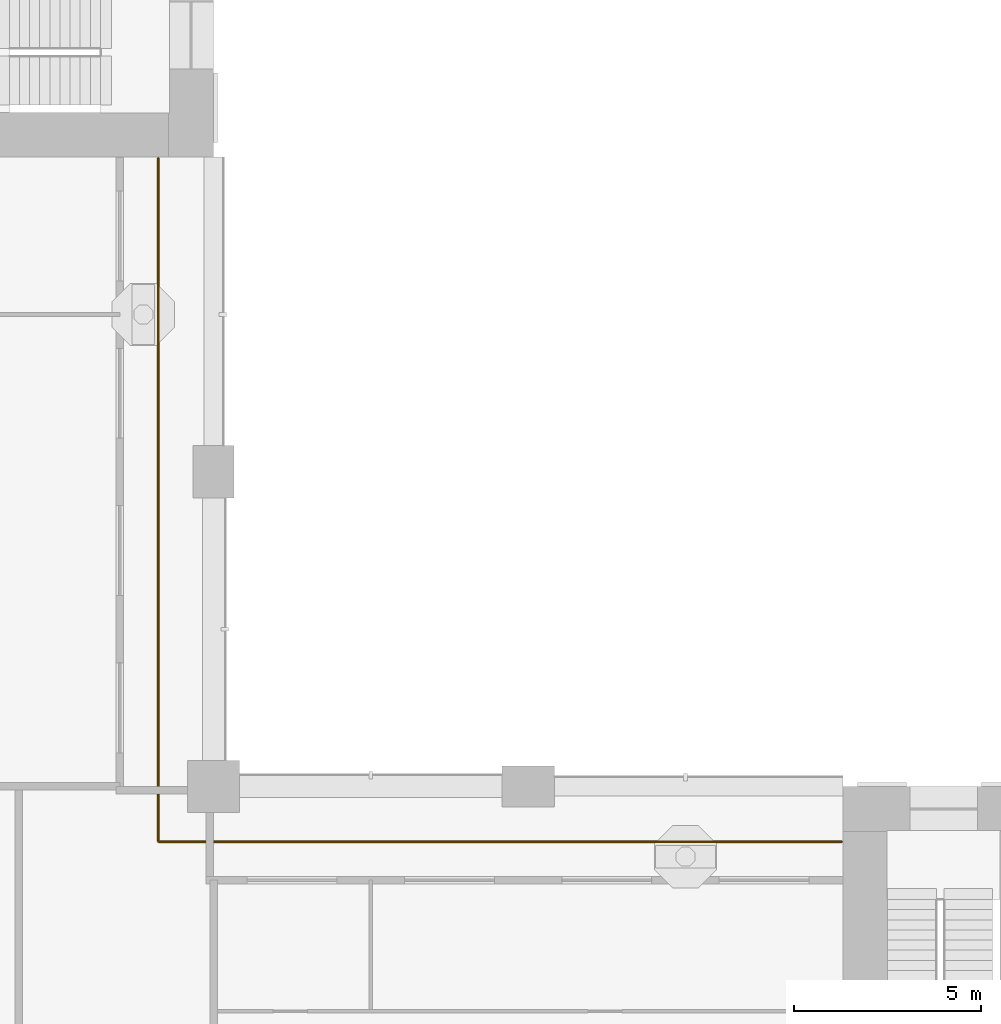
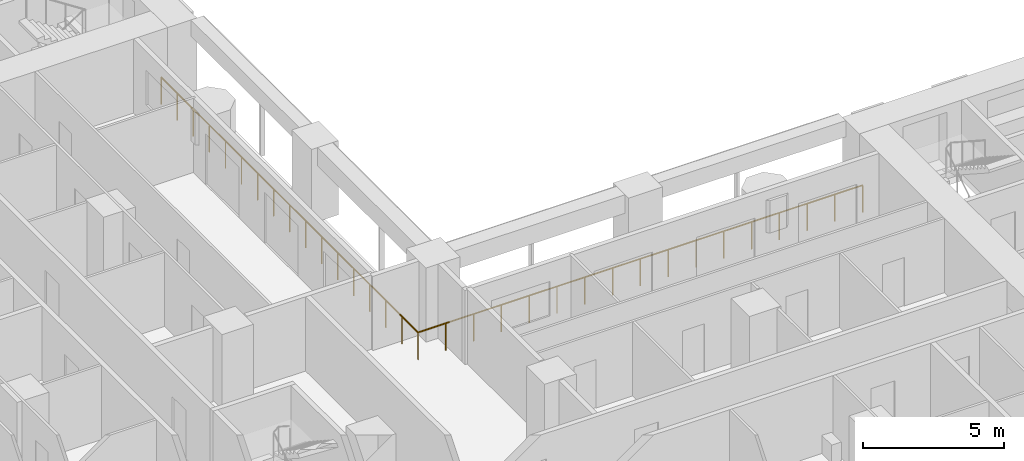
# One storey, part 15 of 19: 1 railing.
"""IFC4 building model written with IfcOpenShell, lengths in metres."""

from ifc_helpers import new_model, si_unit, direction, frame, origin, origin_2d, place, context, subcontext, project, spatial, circle, extrude, material, type_object, element, save


model = new_model("IFC4")

# Units and contexts
model_context = context("Model", 3, precision=1e-05, world=origin(), true_north=direction((0.0, 1.0)))
body_context = subcontext(model_context, "Body", "Model", "MODEL_VIEW")
ifc_project = project(units=[si_unit("LENGTHUNIT", "METRE"), si_unit("AREAUNIT", "SQUARE_METRE"), si_unit("VOLUMEUNIT", "CUBIC_METRE"), si_unit("PLANEANGLEUNIT", "RADIAN"), si_unit("MASSUNIT", "GRAM", prefix="KILO")], contexts=[model_context])

# Site, building, storey
site_placement = place(None, origin())
site = spatial("IfcSite", under=ifc_project, at=site_placement, CompositionType="ELEMENT")
building_placement = place(site_placement, origin())
building = spatial("IfcBuilding", under=site, at=building_placement, Name="Vermilion Gate Residences", CompositionType="ELEMENT")
storey_placement = place(building_placement, frame((0.0, 0.0, 28.699951171875)))
storey = spatial("IfcBuildingStorey", under=building, at=storey_placement, Name="L05", CompositionType="ELEMENT", Elevation=28.699951171875)

# Railing
ifc_material = material(Name="Stainless steel and toughened glass", Category="steel")
railing_type = type_object("IfcRailingType", Name="LOGGIA GUARD STEEL AND GLASS 1200", PredefinedType="GUARDRAIL", material=ifc_material)
railing_placement = place(storey_placement, frame((41.97802734375, 23.72509765625, 0.0)))
element("IfcRailing", 1, at=railing_placement, inside=storey, type_object=railing_type, Name="Loggia guard", PredefinedType="GUARDRAIL", context=body_context, shape_type="SweptSolid", body=[
    extrude(circle(Radius=0.030029296875, at=origin_2d()), frame((0.0, 0.0, 1.169921875), z_axis=(-1.0, 0.0, 0.0), x_axis=(0.0, -1.0, 0.0)), (0.0, 0.0, 1.0), 18.2529296875),
    extrude(circle(Radius=0.030029296875, at=origin_2d()), frame((-18.2529296875, 0.0, 1.169921875), z_axis=(0.0, 1.0, 0.0), x_axis=(-1.0, 0.0, 0.0)), (0.0, 0.0, 1.0), 18.2529296875),
    extrude(circle(Radius=0.02490234375, at=origin_2d()), origin(), (0.0, 0.0, 1.0), 1.139892578125),
    extrude(circle(Radius=0.02490234375, at=origin_2d()), frame((-1.140869140625, 0.0, 0.0)), (0.0, 0.0, 1.0), 1.139892578125),
    extrude(circle(Radius=0.02490234375, at=origin_2d()), frame((-2.28173828125, 0.0, 0.0)), (0.0, 0.0, 1.0), 1.139892578125),
    extrude(circle(Radius=0.02490234375, at=origin_2d()), frame((-3.42236328125, 0.0, 0.0)), (0.0, 0.0, 1.0), 1.139892578125),
    extrude(circle(Radius=0.02490234375, at=origin_2d()), frame((-4.563232421875, 0.0, 0.0)), (0.0, 0.0, 1.0), 1.139892578125),
    extrude(circle(Radius=0.02490234375, at=origin_2d()), frame((-5.7041015625, 0.0, 0.0)), (0.0, 0.0, 1.0), 1.139892578125),
    extrude(circle(Radius=0.02490234375, at=origin_2d()), frame((-6.8447265625, 0.0, 0.0)), (0.0, 0.0, 1.0), 1.139892578125),
    extrude(circle(Radius=0.02490234375, at=origin_2d()), frame((-7.985595703125, 0.0, 0.0)), (0.0, 0.0, 1.0), 1.139892578125),
    extrude(circle(Radius=0.02490234375, at=origin_2d()), frame((-9.12646484375, 0.0, 0.0)), (0.0, 0.0, 1.0), 1.139892578125),
    extrude(circle(Radius=0.02490234375, at=origin_2d()), frame((-10.267333984375, 0.0, 0.0)), (0.0, 0.0, 1.0), 1.139892578125),
    extrude(circle(Radius=0.02490234375, at=origin_2d()), frame((-11.408203125, 0.0, 0.0)), (0.0, 0.0, 1.0), 1.139892578125),
    extrude(circle(Radius=0.02490234375, at=origin_2d()), frame((-12.548828125, 0.0, 0.0)), (0.0, 0.0, 1.0), 1.139892578125),
    extrude(circle(Radius=0.02490234375, at=origin_2d()), frame((-13.689697265625, 0.0, 0.0)), (0.0, 0.0, 1.0), 1.139892578125),
    extrude(circle(Radius=0.02490234375, at=origin_2d()), frame((-14.83056640625, 0.0, 0.0)), (0.0, 0.0, 1.0), 1.139892578125),
    extrude(circle(Radius=0.02490234375, at=origin_2d()), frame((-15.97119140625, 0.0, 0.0)), (0.0, 0.0, 1.0), 1.139892578125),
    extrude(circle(Radius=0.02490234375, at=origin_2d()), frame((-17.112060546875, 0.0, 0.0)), (0.0, 0.0, 1.0), 1.139892578125),
    extrude(circle(Radius=0.02490234375, at=origin_2d()), frame((-18.2529296875, 0.0, 0.0)), (0.0, 0.0, 1.0), 1.139892578125),
    extrude(circle(Radius=0.02490234375, at=origin_2d()), frame((-18.2529296875, 1.140869140625, 0.0)), (0.0, 0.0, 1.0), 1.139892578125),
    extrude(circle(Radius=0.02490234375, at=origin_2d()), frame((-18.2529296875, 2.28173828125, 0.0)), (0.0, 0.0, 1.0), 1.139892578125),
    extrude(circle(Radius=0.02490234375, at=origin_2d()), frame((-18.2529296875, 3.42236328125, 0.0)), (0.0, 0.0, 1.0), 1.139892578125),
    extrude(circle(Radius=0.02490234375, at=origin_2d()), frame((-18.2529296875, 4.563232421875, 0.0)), (0.0, 0.0, 1.0), 1.139892578125),
    extrude(circle(Radius=0.02490234375, at=origin_2d()), frame((-18.2529296875, 5.7041015625, 0.0)), (0.0, 0.0, 1.0), 1.139892578125),
    extrude(circle(Radius=0.02490234375, at=origin_2d()), frame((-18.2529296875, 6.8447265625, 0.0)), (0.0, 0.0, 1.0), 1.139892578125),
    extrude(circle(Radius=0.02490234375, at=origin_2d()), frame((-18.2529296875, 7.985595703125, 0.0)), (0.0, 0.0, 1.0), 1.139892578125),
    extrude(circle(Radius=0.02490234375, at=origin_2d()), frame((-18.2529296875, 9.12646484375, 0.0)), (0.0, 0.0, 1.0), 1.139892578125),
    extrude(circle(Radius=0.02490234375, at=origin_2d()), frame((-18.2529296875, 10.267333984375, 0.0)), (0.0, 0.0, 1.0), 1.139892578125),
    extrude(circle(Radius=0.02490234375, at=origin_2d()), frame((-18.2529296875, 11.408203125, 0.0)), (0.0, 0.0, 1.0), 1.139892578125),
    extrude(circle(Radius=0.02490234375, at=origin_2d()), frame((-18.2529296875, 12.548828125, 0.0)), (0.0, 0.0, 1.0), 1.139892578125),
    extrude(circle(Radius=0.02490234375, at=origin_2d()), frame((-18.2529296875, 13.689697265625, 0.0)), (0.0, 0.0, 1.0), 1.139892578125),
    extrude(circle(Radius=0.02490234375, at=origin_2d()), frame((-18.2529296875, 14.83056640625, 0.0)), (0.0, 0.0, 1.0), 1.139892578125),
    extrude(circle(Radius=0.02490234375, at=origin_2d()), frame((-18.2529296875, 15.97119140625, 0.0)), (0.0, 0.0, 1.0), 1.139892578125),
    extrude(circle(Radius=0.02490234375, at=origin_2d()), frame((-18.2529296875, 17.112060546875, 0.0)), (0.0, 0.0, 1.0), 1.139892578125),
    extrude(circle(Radius=0.02490234375, at=origin_2d()), frame((-18.2529296875, 18.2529296875, 0.0)), (0.0, 0.0, 1.0), 1.139892578125),
])

save(model, "model.ifc")
